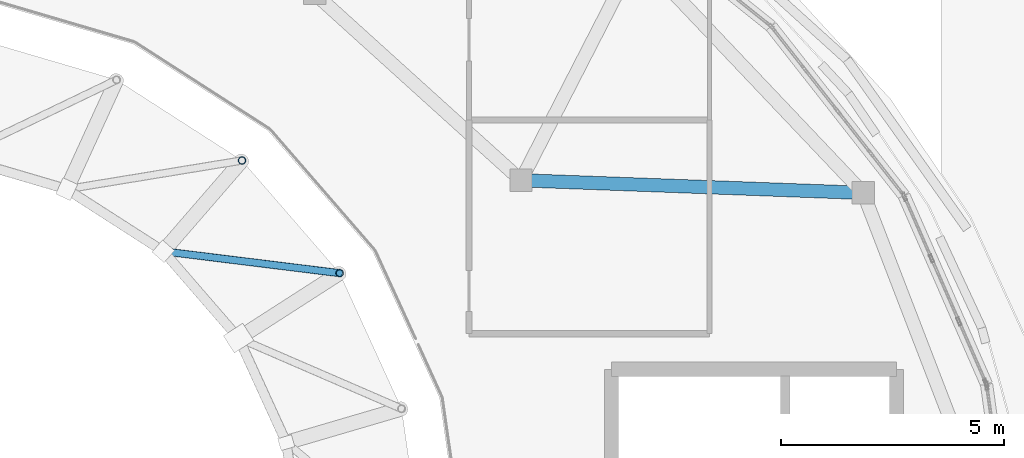
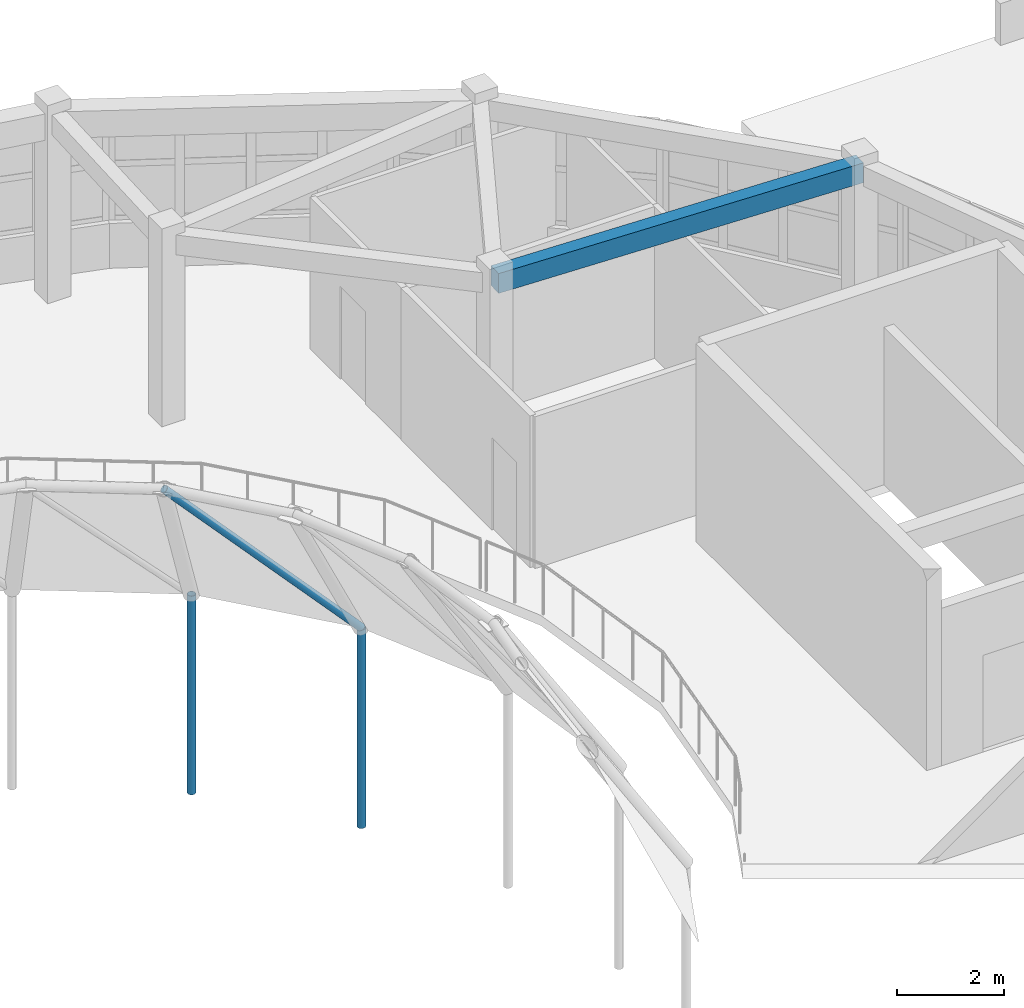
# One storey, part 18 of 38: 3 members, 1 beam.
"""IFC4 building model written with IfcOpenShell, lengths in metres."""

from ifc_helpers import new_model, si_unit, direction, frame, origin, origin_2d, place, context, subcontext, project, spatial, rectangle, hollow_circle, extrude, material, material_profile, profile_set, type_object, element, save


model = new_model("IFC4")

# Units and contexts
model_context = context("Model", 3, precision=1e-05, world=origin(), true_north=direction((0.0, 1.0)))
body_context = subcontext(model_context, "Body", "Model", "MODEL_VIEW")
ifc_project = project(units=[si_unit("LENGTHUNIT", "METRE"), si_unit("AREAUNIT", "SQUARE_METRE"), si_unit("VOLUMEUNIT", "CUBIC_METRE"), si_unit("PLANEANGLEUNIT", "RADIAN"), si_unit("MASSUNIT", "GRAM", prefix="KILO")], contexts=[model_context])

# Site, building, storey
site_placement = place(None, origin())
site = spatial("IfcSite", under=ifc_project, at=site_placement, CompositionType="ELEMENT")
building_placement = place(site_placement, origin())
building = spatial("IfcBuilding", under=site, at=building_placement, Name="Pelvatis Terrace Science Centre", CompositionType="ELEMENT")
storey_placement = place(building_placement, frame((0.0, 0.0, 24.300048828125)))
storey = spatial("IfcBuildingStorey", under=building, at=storey_placement, Name="L05", CompositionType="ELEMENT", Elevation=24.300048828125)

# Beam
ifc_material_1 = material(Name="Concrete C35/45", Category="concrete")
ifc_material_profile_1 = material_profile(ifc_material_1, rectangle(XDim=0.300048828125, YDim=0.449951171875, at=origin_2d()), Name="RC-BM 300x450")
ifc_profile_set_1 = profile_set([ifc_material_profile_1], Name="Concrete C35/45")
beam_type = type_object("IfcBeamType", Name="BM-RC-300x450", PredefinedType="BEAM", material=ifc_profile_set_1)
beam_placement = place(storey_placement, frame((130.8515625, 93.9619140625, 4.034912109375), z_axis=(-0.999323636049, 0.036773229863, 0.0), x_axis=(-0.036773229863, -0.999323636049, 0.0)))
element("IfcBeam", 1, at=beam_placement, inside=storey, type_object=beam_type, Name="Beam BM-L05-3119", PredefinedType="BEAM", context=body_context, shape_type="SweptSolid", body=[
    extrude(rectangle(XDim=0.300048828125, YDim=0.449951171875, at=origin_2d()), origin(), (0.0, 0.0, 1.0), 7.68798828125),
])

# Members
ifc_material_2 = material(Name="Structural steel S355", Category="steel")
ifc_material_profile_2 = material_profile(ifc_material_2, hollow_circle(Radius=0.084228515625, WallThickness=0.00634765625, at=origin_2d()), Name="CHS 168.3x6.3")
ifc_profile_set_2 = profile_set([ifc_material_profile_2], Name="Structural steel S355")
member_type_1 = type_object("IfcMemberType", Name="MEM-BRC-CHS168", PredefinedType="BRACE", material=ifc_profile_set_2)
member_placement = place(storey_placement, frame((119.095703125, 92.15966796875, -1.1845703125), z_axis=(-0.680388304037, 0.084225369244, 0.727995771214), x_axis=(-0.12285243192, -0.992424949289, 0.0)))
element("IfcMember", 2, at=member_placement, inside=storey, type_object=member_type_1, Name="Planetarium dome lateral brace 2.03", PredefinedType="BRACE", context=body_context, shape_type="SweptSolid", body=[
    extrude(hollow_circle(Radius=0.084228515625, WallThickness=0.00634765625, at=origin_2d()), origin(), (0.0, 0.0, 1.0), 5.820556640625),
])
ifc_material_3 = material(Name="Structural steel S355", Category="steel")
ifc_material_profile_3 = material_profile(ifc_material_3, hollow_circle(Radius=0.084228515625, WallThickness=0.00634765625, at=origin_2d()), Name="CHS 168.3x6.3")
ifc_profile_set_3 = profile_set([ifc_material_profile_3], Name="Structural steel S355")
member_type_2 = type_object("IfcMemberType", Name="MEM-STR-CHS168", PredefinedType="STRUT", material=ifc_profile_set_3)
for number, where, z_axis, x_axis, name in (
    (3, (119.095703125, 92.15966796875, -5.699951171875), (0.0, 0.0, 1.0), (1.0, 0.0, 0.0), "Dome arch vertical web post 1.03"),
    (4, (116.9033203125, 94.68994140625, -5.699951171875), (0.0, 0.0, 1.0), (1.0, 0.0, 0.0), "Dome arch vertical web post 1.04"),
):
    element("IfcMember", number, at=place(storey_placement, frame(where, z_axis=z_axis, x_axis=x_axis)), inside=storey, type_object=member_type_2, Name=name, PredefinedType="STRUT", context=body_context, shape_type="SweptSolid", body=[
        extrude(hollow_circle(Radius=0.084228515625, WallThickness=0.00634765625, at=origin_2d()), origin(), (0.0, 0.0, 1.0), 4.515380859375),
    ])

save(model, "model.ifc")
